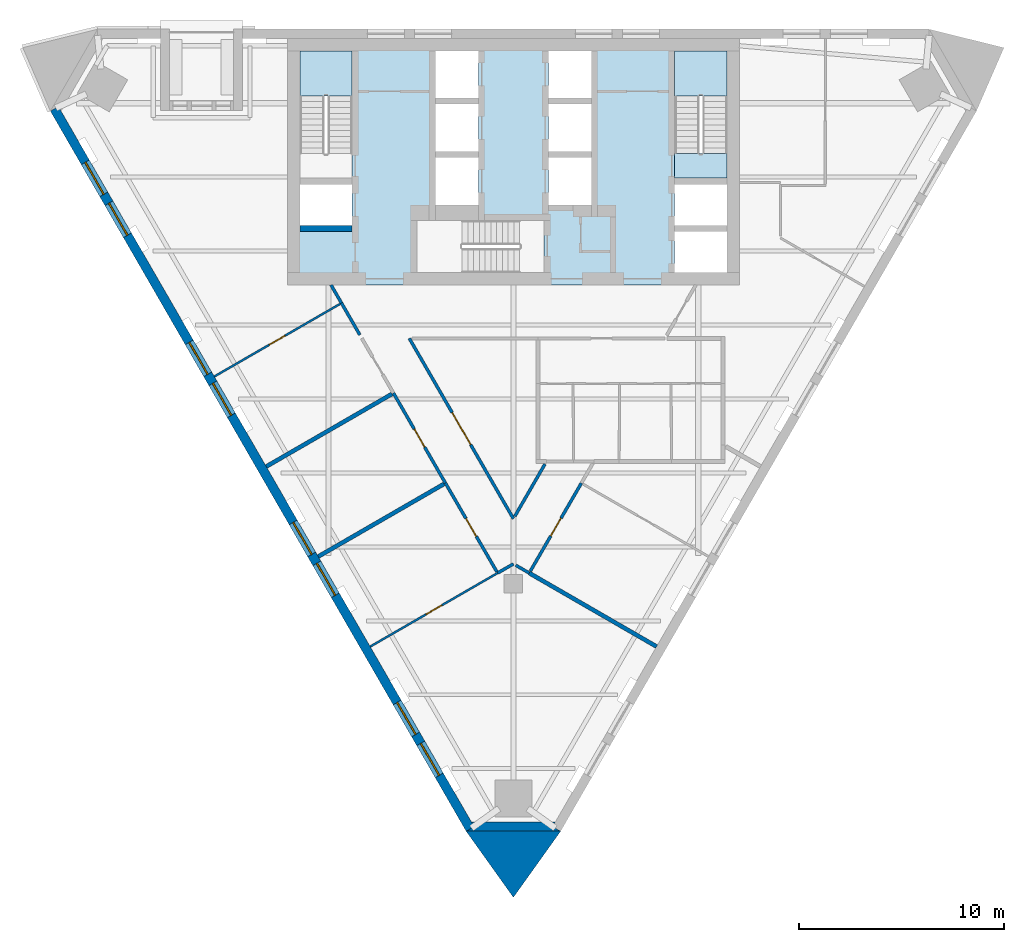
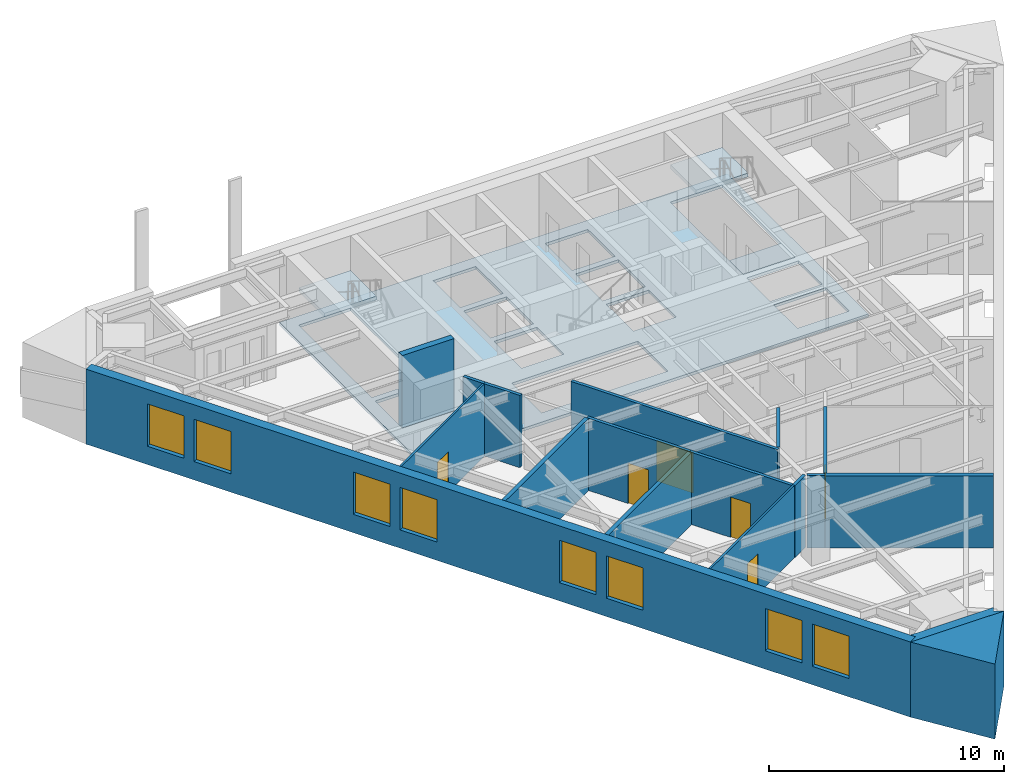
# One storey, part 2 of 8: 18 walls, 8 windows, 6 doors, 4 slabs, 14 openings, 2 elements without a shape of their own.
"""IFC4 building model written with IfcOpenShell, lengths in metres."""

from ifc_helpers import new_model, si_unit, direction, frame, frame_2d, origin, place, context, subcontext, project, spatial, polyline, rectangle, outline, extrude, material, layer, layer_set, type_object, element, fill, aggregate, save


model = new_model("IFC4")

# Units and contexts
model_context = context("Model", 3, precision=1e-05, world=origin(), true_north=direction((0.0, 1.0)))
body_context = subcontext(model_context, "Body", "Model", "MODEL_VIEW")
ifc_project = project(units=[si_unit("LENGTHUNIT", "METRE"), si_unit("AREAUNIT", "SQUARE_METRE"), si_unit("VOLUMEUNIT", "CUBIC_METRE"), si_unit("PLANEANGLEUNIT", "RADIAN"), si_unit("MASSUNIT", "GRAM", prefix="KILO")], contexts=[model_context])

# Site, building, storey
site_placement = place(None, origin())
site = spatial("IfcSite", under=ifc_project, at=site_placement, CompositionType="ELEMENT")
building_placement = place(site_placement, origin())
building = spatial("IfcBuilding", under=site, at=building_placement, Name="Aloe Facet Convention Tower", CompositionType="ELEMENT")
storey_placement = place(building_placement, frame((0.0, 0.0, 140.300048828125)))
storey = spatial("IfcBuildingStorey", under=building, at=storey_placement, Name="L35", CompositionType="ELEMENT", Elevation=140.300048828125)

# Slabs
ifc_material_1 = material(Name="Concrete C60/75", Category="concrete")
ifc_layer_1 = layer(ifc_material_1, 0.14990234375)
ifc_layer_set_1 = layer_set([ifc_layer_1], Name="CR-S-FLOOR150-C6075")
slab_type_1 = type_object("IfcSlabType", Name="CR-S-FLOOR150-C6075", PredefinedType="FLOOR", material=ifc_layer_set_1)
slab_1_placement = place(storey_placement, frame((0.0, 0.0, -0.150146484375)))
element("IfcSlab", 1, at=slab_1_placement, inside=storey, type_object=slab_type_1, Name="Core floor L35", PredefinedType="FLOOR", context=body_context, shape_type="SweptSolid", body=[
    extrude(outline(polyline([(71.85009765625, 134.550048828125), (72.75, 134.550048828125), (75.60009765625, 134.550048828125), (76.5, 134.550048828125), (78.0, 134.550048828125), (78.89990234375, 134.550048828125), (81.10009765625, 134.550048828125), (82.0, 134.550048828125), (83.5, 134.550048828125), (84.39990234375, 134.550048828125), (87.25, 134.550048828125), (88.14990234375, 134.550048828125), (91.0, 134.550048828125), (91.0, 128.050048828125), (91.0, 127.14990234375), (91.0, 125.75), (91.0, 124.85009765625), (91.0, 122.550048828125), (88.14990234375, 122.550048828125), (87.25, 122.550048828125), (85.300048828125, 122.550048828125), (84.39990234375, 122.550048828125), (82.10009765625, 122.550048828125), (81.199951171875, 122.550048828125), (75.60009765625, 122.550048828125), (74.699951171875, 122.550048828125), (72.75, 122.550048828125), (71.85009765625, 122.550048828125), (69.0, 122.550048828125), (69.0, 124.85009765625), (69.0, 125.75), (69.0, 127.14990234375), (69.0, 128.050048828125), (69.0, 134.550048828125), (71.85009765625, 134.550048828125)]), holes=[polyline([(80.298828125, 123.14990234375), (81.5, 123.14990234375), (81.5, 125.699951171875), (80.298828125, 125.699951171875), (75.300048828125, 125.699951171875), (75.300048828125, 123.14990234375), (80.298828125, 123.14990234375)]), polyline([(69.60009765625, 125.449951171875), (72.14990234375, 125.449951171875), (72.14990234375, 127.449951171875), (69.60009765625, 127.449951171875), (69.60009765625, 125.449951171875)]), polyline([(76.199951171875, 126.449951171875), (78.300048828125, 126.449951171875), (78.300048828125, 128.75), (76.199951171875, 128.75), (76.199951171875, 126.449951171875)]), polyline([(78.300048828125, 129.050048828125), (78.300048828125, 131.35009765625), (76.199951171875, 131.35009765625), (76.199951171875, 129.050048828125), (78.300048828125, 129.050048828125)]), polyline([(69.60009765625, 133.949951171875), (69.60009765625, 128.951171875), (69.60009765625, 127.75), (72.14990234375, 127.75), (72.14990234375, 128.951171875), (72.14990234375, 133.949951171875), (69.60009765625, 133.949951171875)]), polyline([(76.199951171875, 131.64990234375), (78.300048828125, 131.64990234375), (78.300048828125, 133.949951171875), (76.199951171875, 133.949951171875), (76.199951171875, 131.64990234375)]), polyline([(90.39990234375, 123.14990234375), (90.39990234375, 125.14990234375), (87.85009765625, 125.14990234375), (87.85009765625, 123.14990234375), (90.39990234375, 123.14990234375)]), polyline([(87.85009765625, 125.449951171875), (90.39990234375, 125.449951171875), (90.39990234375, 127.449951171875), (87.85009765625, 127.449951171875), (87.85009765625, 125.449951171875)]), polyline([(81.699951171875, 126.449951171875), (83.800048828125, 126.449951171875), (83.800048828125, 128.75), (81.699951171875, 128.75), (81.699951171875, 126.449951171875)]), polyline([(83.800048828125, 129.050048828125), (83.800048828125, 131.35009765625), (81.699951171875, 131.35009765625), (81.699951171875, 129.050048828125), (83.800048828125, 129.050048828125)]), polyline([(87.85009765625, 133.949951171875), (87.85009765625, 128.951171875), (87.85009765625, 127.75), (90.39990234375, 127.75), (90.39990234375, 128.951171875), (90.39990234375, 133.949951171875), (87.85009765625, 133.949951171875)]), polyline([(81.699951171875, 131.64990234375), (83.800048828125, 131.64990234375), (83.800048828125, 133.949951171875), (81.699951171875, 133.949951171875), (81.699951171875, 131.64990234375)])]), origin(), (0.0, 0.0, 1.0), 0.150146484375),
])
ifc_material_2 = material(Name="Concrete C60/75", Category="concrete")
ifc_layer_2 = layer(ifc_material_2, 0.300048828125)
ifc_layer_set_2 = layer_set([ifc_layer_2], Name="CR-S-FLOOR300-C6075")
slab_type_2 = type_object("IfcSlabType", Name="CR-S-FLOOR300-C6075", PredefinedType="FLOOR", material=ifc_layer_set_2)
slab_2_placement = place(storey_placement, frame((0.0, 0.0, -0.300048828125)))
element("IfcSlab", 2, at=slab_2_placement, inside=storey, type_object=slab_type_2, Name="Stair landing floor L35", PredefinedType="FLOOR", context=body_context, shape_type="SweptSolid", body=[
    extrude(outline(polyline([(90.39990234375, 127.75), (90.39990234375, 128.951171875), (87.85009765625, 128.951171875), (87.85009765625, 127.75), (90.39990234375, 127.75)])), origin(), (0.0, 0.0, 1.0), 0.300048828125),
])

# Stair, slab
ifc_material_3 = material(Name="Concrete C50/60", Category="concrete")
stair_type = type_object("IfcStairType", Name="CR-ST-22R", PredefinedType="HALF_TURN_STAIR", material=ifc_material_3)
stair_1_placement = place(storey_placement, origin())
stair_1 = element("IfcStair", 3, at=stair_1_placement, inside=storey, type_object=stair_type, Name="L35 Protected exit stair ST1", PredefinedType="HALF_TURN_STAIR")
ifc_material_4 = material(Name="Concrete C50/60", Category="concrete")
ifc_layer_3 = layer(ifc_material_4, 0.199951171875)
ifc_layer_set_3 = layer_set([ifc_layer_3], Name="CR-SL-LANDING")
slab_type_3 = type_object("IfcSlabType", Name="CR-SL-LANDING", PredefinedType="LANDING", material=ifc_layer_set_3)
slab_3_placement = place(storey_placement, frame((0.0, 0.0, 1.75)))
slab_3 = element("IfcSlab", 4, at=slab_3_placement, type_object=slab_type_3, Name="ST1 landing 1", PredefinedType="LANDING", context=body_context, shape_type="SweptSolid", body=[
    extrude(outline(polyline([(72.14990234375, 131.75), (72.14990234375, 133.949951171875), (69.60009765625, 133.949951171875), (69.60009765625, 131.75), (72.14990234375, 131.75)])), origin(), (0.0, 0.0, 1.0), 0.199951171875),
])
aggregate(stair_1, [slab_3])

stair_2_placement = place(storey_placement, origin())
stair_2 = element("IfcStair", 5, at=stair_2_placement, inside=storey, type_object=stair_type, Name="L35 Protected exit stair ST2", PredefinedType="HALF_TURN_STAIR")
slab_4_placement = place(storey_placement, frame((0.0, 0.0, 1.75)))
slab_4 = element("IfcSlab", 6, at=slab_4_placement, type_object=slab_type_3, Name="ST2 landing 1", PredefinedType="LANDING", context=body_context, shape_type="SweptSolid", body=[
    extrude(outline(polyline([(90.39990234375, 131.75), (90.39990234375, 133.949951171875), (87.85009765625, 133.949951171875), (87.85009765625, 131.75), (90.39990234375, 131.75)])), origin(), (0.0, 0.0, 1.0), 0.199951171875),
])
aggregate(stair_2, [slab_4])

# Walls
ifc_material_5 = material(Name="Concrete C60/75", Category="concrete")
ifc_layer_4 = layer(ifc_material_5, 0.300048828125)
ifc_layer_set_4 = layer_set([ifc_layer_4], Name="CR-W-RC300-C6075")
wall_type_1 = type_object("IfcWallType", Name="CR-W-RC300-C6075", PredefinedType="SOLIDWALL", material=ifc_layer_set_4)
wall_1_placement = place(storey_placement, frame((69.60009765625, 125.300048828125, 0.0), z_axis=(0.0, 0.0, 1.0), x_axis=(1.0, 0.0, 0.0)))
element("IfcWall", 7, at=wall_1_placement, inside=storey, type_object=wall_type_1, Name="Core wall L35-005", PredefinedType="SOLIDWALL", context=body_context, shape_type="SweptSolid", body=[
    extrude(rectangle(XDim=2.5498046875, YDim=0.300048828125, at=frame_2d((1.27490234375, 0.0))), origin(), (0.0, 0.0, 1.0), 3.75),
])
ifc_material_6 = material(Name="Precast concrete C40/50", Category="concrete")
ifc_layer_5 = layer(ifc_material_6, 0.449951171875)
ifc_layer_set_5 = layer_set([ifc_layer_5], Name="EV-WALL-PIER")
wall_type_2 = type_object("IfcWallType", Name="EV-WALL-PIER", PredefinedType="SOLIDWALL", material=ifc_layer_set_5)
wall_2_placement = place(storey_placement, frame((0.0, 0.0, -0.150146484375)))
element("IfcWall", 8, at=wall_2_placement, inside=storey, type_object=wall_type_2, Name="EP-L35-B", PredefinedType="SOLIDWALL", context=body_context, shape_type="SweptSolid", body=[
    extrude(outline(polyline([(77.699951171875, 95.954345703125), (78.089599609375, 96.17919921875), (77.959716796875, 96.404296875), (82.040283203125, 96.404296875), (81.910400390625, 96.17919921875), (82.300048828125, 95.954345703125), (77.699951171875, 95.954345703125)])), origin(), (0.0, 0.0, 1.0), 3.900146484375),
])
ifc_material_7 = material(Name="Precast concrete C40/50", Category="concrete")
ifc_layer_6 = layer(ifc_material_7, 3.947998046875)
ifc_layer_set_6 = layer_set([ifc_layer_6], Name="EV-WALL-SPINE")
wall_type_3 = type_object("IfcWallType", Name="EV-WALL-SPINE", PredefinedType="SOLIDWALL", material=ifc_layer_set_6)
wall_3_placement = place(storey_placement, frame((0.0, 0.0, -0.150146484375)))
element("IfcWall", 9, at=wall_3_placement, inside=storey, type_object=wall_type_3, Name="SP-S-L35", PredefinedType="SOLIDWALL", context=body_context, shape_type="SweptSolid", body=[
    extrude(outline(polyline([(77.699951171875, 95.954345703125), (80.0, 92.732666015625), (82.300048828125, 95.954345703125), (77.699951171875, 95.954345703125)])), origin(), (0.0, 0.0, 1.0), 3.900146484375),
])

# Wall, openings, windows
ifc_material_8 = material(Name="Precast concrete C40/50", Category="concrete")
ifc_layer_7 = layer(ifc_material_8, 0.449951171875)
ifc_layer_set_7 = layer_set([ifc_layer_7], Name="EV-WALL-STONE")
wall_type_4 = type_object("IfcWallType", Name="EV-WALL-STONE", PredefinedType="SOLIDWALL", material=ifc_layer_set_7)
wall_4_placement = place(storey_placement, frame((57.65185546875, 131.128662109375, -0.150146484375), z_axis=(0.0, 0.0, 1.0), x_axis=(0.499997369791, -0.866026922331, 0.0)))
wall_4 = element("IfcWall", 10, at=wall_4_placement, inside=storey, type_object=wall_type_4, Name="EW-L35-W01", PredefinedType="SOLIDWALL", context=body_context, shape_type="SweptSolid", body=[
    extrude(outline(polyline([(40.486083984375, 0.0), (40.486083984375, 3.900146484375), (0.0, 3.900146484375), (0.0, 0.0), (40.486083984375, 0.0)])), frame((0.0, 0.22509765625, 0.0), z_axis=(0.0, -1.0, 0.0), x_axis=(1.0, 0.0, 0.0)), (0.0, 0.0, 1.0), 0.449951171875),
])
opening_1_placement = place(wall_4_placement, frame((3.0107421875, 0.0, 0.949951171875)))
opening_1 = element("IfcOpeningElement", 11, at=opening_1_placement, cuts=wall_4, Name="Opening W-L35-W01", PredefinedType="OPENING", context=body_context, shape_type="SweptSolid", body=[
    extrude(rectangle(XDim=1.800048828125, YDim=2.199951171875, at=frame_2d((0.89990234375, 1.10009765625))), frame((0.0, 0.23486328125, 0.0), z_axis=(0.0, -1.0, 0.0), x_axis=(1.0, 0.0, 0.0)), (0.0, 0.0, 1.0), 0.469970703125),
])
opening_2_placement = place(wall_4_placement, frame((5.310791015625, 0.0, 0.949951171875)))
opening_2 = element("IfcOpeningElement", 12, at=opening_2_placement, cuts=wall_4, Name="Opening W-L35-W02", PredefinedType="OPENING", context=body_context, shape_type="SweptSolid", body=[
    extrude(rectangle(XDim=1.800048828125, YDim=2.199951171875, at=frame_2d((0.89990234375, 1.10009765625))), frame((0.0, 0.23486328125, 0.0), z_axis=(0.0, -1.0, 0.0), x_axis=(1.0, 0.0, 0.0)), (0.0, 0.0, 1.0), 0.469970703125),
])
opening_3_placement = place(wall_4_placement, frame((13.13232421875, 0.0, 0.949951171875)))
opening_3 = element("IfcOpeningElement", 13, at=opening_3_placement, cuts=wall_4, Name="Opening W-L35-W03", PredefinedType="OPENING", context=body_context, shape_type="SweptSolid", body=[
    extrude(rectangle(XDim=1.800048828125, YDim=2.199951171875, at=frame_2d((0.89990234375, 1.10009765625))), frame((0.0, 0.23486328125, 0.0), z_axis=(0.0, -1.0, 0.0), x_axis=(1.0, 0.0, 0.0)), (0.0, 0.0, 1.0), 0.469970703125),
])
opening_4_placement = place(wall_4_placement, frame((15.432373046875, 0.0, 0.949951171875)))
opening_4 = element("IfcOpeningElement", 14, at=opening_4_placement, cuts=wall_4, Name="Opening W-L35-W04", PredefinedType="OPENING", context=body_context, shape_type="SweptSolid", body=[
    extrude(rectangle(XDim=1.800048828125, YDim=2.199951171875, at=frame_2d((0.89990234375, 1.10009765625))), frame((0.0, 0.23486328125, 0.0), z_axis=(0.0, -1.0, 0.0), x_axis=(1.0, 0.0, 0.0)), (0.0, 0.0, 1.0), 0.469970703125),
])
opening_5_placement = place(wall_4_placement, frame((23.25390625, 0.0, 0.949951171875)))
opening_5 = element("IfcOpeningElement", 15, at=opening_5_placement, cuts=wall_4, Name="Opening W-L35-W05", PredefinedType="OPENING", context=body_context, shape_type="SweptSolid", body=[
    extrude(rectangle(XDim=1.800048828125, YDim=2.199951171875, at=frame_2d((0.89990234375, 1.10009765625))), frame((0.0, 0.23486328125, 0.0), z_axis=(0.0, -1.0, 0.0), x_axis=(1.0, 0.0, 0.0)), (0.0, 0.0, 1.0), 0.469970703125),
])
opening_6_placement = place(wall_4_placement, frame((25.553955078125, 0.0, 0.949951171875)))
opening_6 = element("IfcOpeningElement", 16, at=opening_6_placement, cuts=wall_4, Name="Opening W-L35-W06", PredefinedType="OPENING", context=body_context, shape_type="SweptSolid", body=[
    extrude(rectangle(XDim=1.800048828125, YDim=2.199951171875, at=frame_2d((0.89990234375, 1.10009765625))), frame((0.0, 0.23486328125, 0.0), z_axis=(0.0, -1.0, 0.0), x_axis=(1.0, 0.0, 0.0)), (0.0, 0.0, 1.0), 0.469970703125),
])
opening_7_placement = place(wall_4_placement, frame((33.37548828125, 0.0, 0.949951171875)))
opening_7 = element("IfcOpeningElement", 17, at=opening_7_placement, cuts=wall_4, Name="Opening W-L35-W07", PredefinedType="OPENING", context=body_context, shape_type="SweptSolid", body=[
    extrude(rectangle(XDim=1.800048828125, YDim=2.199951171875, at=frame_2d((0.89990234375, 1.10009765625))), frame((0.0, 0.23486328125, 0.0), z_axis=(0.0, -1.0, 0.0), x_axis=(1.0, 0.0, 0.0)), (0.0, 0.0, 1.0), 0.469970703125),
])
opening_8_placement = place(wall_4_placement, frame((35.67529296875, 0.0, 0.949951171875)))
opening_8 = element("IfcOpeningElement", 18, at=opening_8_placement, cuts=wall_4, Name="Opening W-L35-W08", PredefinedType="OPENING", context=body_context, shape_type="SweptSolid", body=[
    extrude(rectangle(XDim=1.800048828125, YDim=2.199951171875, at=frame_2d((0.89990234375, 1.10009765625))), frame((0.0, 0.23486328125, 0.0), z_axis=(0.0, -1.0, 0.0), x_axis=(1.0, 0.0, 0.0)), (0.0, 0.0, 1.0), 0.469970703125),
])
ifc_material_9 = material(Name="Aluminium frame, clear double glazing", Category="aluminium")
window_type = type_object("IfcWindowType", Name="EV-WIN-O18", PartitioningType="SINGLE_PANEL", PredefinedType="WINDOW", material=ifc_material_9)
window_1_placement = place(opening_1_placement, origin())
window_1 = element("IfcWindow", 19, at=window_1_placement, inside=storey, type_object=window_type, Name="W-L35-W01", OverallHeight=2.199951171875, OverallWidth=1.800048828125, PartitioningType="SINGLE_PANEL", PredefinedType="WINDOW", context=body_context, shape_type="SweptSolid", body=[
    extrude(rectangle(XDim=1.800048828125, YDim=2.199951171875, at=frame_2d((0.89990234375, 1.10009765625))), frame((0.0, 0.030029296875, 0.0), z_axis=(0.0, -1.0, 0.0), x_axis=(1.0, 0.0, 0.0)), (0.0, 0.0, 1.0), 0.06005859375),
])
fill(opening_1, window_1)
window_2_placement = place(opening_2_placement, origin())
window_2 = element("IfcWindow", 20, at=window_2_placement, inside=storey, type_object=window_type, Name="W-L35-W02", OverallHeight=2.199951171875, OverallWidth=1.800048828125, PartitioningType="SINGLE_PANEL", PredefinedType="WINDOW", context=body_context, shape_type="SweptSolid", body=[
    extrude(rectangle(XDim=1.800048828125, YDim=2.199951171875, at=frame_2d((0.89990234375, 1.10009765625))), frame((0.0, 0.030029296875, 0.0), z_axis=(0.0, -1.0, 0.0), x_axis=(1.0, 0.0, 0.0)), (0.0, 0.0, 1.0), 0.06005859375),
])
fill(opening_2, window_2)
window_3_placement = place(opening_3_placement, origin())
window_3 = element("IfcWindow", 21, at=window_3_placement, inside=storey, type_object=window_type, Name="W-L35-W03", OverallHeight=2.199951171875, OverallWidth=1.800048828125, PartitioningType="SINGLE_PANEL", PredefinedType="WINDOW", context=body_context, shape_type="SweptSolid", body=[
    extrude(rectangle(XDim=1.800048828125, YDim=2.199951171875, at=frame_2d((0.89990234375, 1.10009765625))), frame((0.0, 0.030029296875, 0.0), z_axis=(0.0, -1.0, 0.0), x_axis=(1.0, 0.0, 0.0)), (0.0, 0.0, 1.0), 0.06005859375),
])
fill(opening_3, window_3)
window_4_placement = place(opening_4_placement, origin())
window_4 = element("IfcWindow", 22, at=window_4_placement, inside=storey, type_object=window_type, Name="W-L35-W04", OverallHeight=2.199951171875, OverallWidth=1.800048828125, PartitioningType="SINGLE_PANEL", PredefinedType="WINDOW", context=body_context, shape_type="SweptSolid", body=[
    extrude(rectangle(XDim=1.800048828125, YDim=2.199951171875, at=frame_2d((0.89990234375, 1.10009765625))), frame((0.0, 0.030029296875, 0.0), z_axis=(0.0, -1.0, 0.0), x_axis=(1.0, 0.0, 0.0)), (0.0, 0.0, 1.0), 0.06005859375),
])
fill(opening_4, window_4)
window_5_placement = place(opening_5_placement, origin())
window_5 = element("IfcWindow", 23, at=window_5_placement, inside=storey, type_object=window_type, Name="W-L35-W05", OverallHeight=2.199951171875, OverallWidth=1.800048828125, PartitioningType="SINGLE_PANEL", PredefinedType="WINDOW", context=body_context, shape_type="SweptSolid", body=[
    extrude(rectangle(XDim=1.800048828125, YDim=2.199951171875, at=frame_2d((0.89990234375, 1.10009765625))), frame((0.0, 0.030029296875, 0.0), z_axis=(0.0, -1.0, 0.0), x_axis=(1.0, 0.0, 0.0)), (0.0, 0.0, 1.0), 0.06005859375),
])
fill(opening_5, window_5)
window_6_placement = place(opening_6_placement, origin())
window_6 = element("IfcWindow", 24, at=window_6_placement, inside=storey, type_object=window_type, Name="W-L35-W06", OverallHeight=2.199951171875, OverallWidth=1.800048828125, PartitioningType="SINGLE_PANEL", PredefinedType="WINDOW", context=body_context, shape_type="SweptSolid", body=[
    extrude(rectangle(XDim=1.800048828125, YDim=2.199951171875, at=frame_2d((0.89990234375, 1.10009765625))), frame((0.0, 0.030029296875, 0.0), z_axis=(0.0, -1.0, 0.0), x_axis=(1.0, 0.0, 0.0)), (0.0, 0.0, 1.0), 0.06005859375),
])
fill(opening_6, window_6)
window_7_placement = place(opening_7_placement, origin())
window_7 = element("IfcWindow", 25, at=window_7_placement, inside=storey, type_object=window_type, Name="W-L35-W07", OverallHeight=2.199951171875, OverallWidth=1.800048828125, PartitioningType="SINGLE_PANEL", PredefinedType="WINDOW", context=body_context, shape_type="SweptSolid", body=[
    extrude(rectangle(XDim=1.800048828125, YDim=2.199951171875, at=frame_2d((0.89990234375, 1.10009765625))), frame((0.0, 0.030029296875, 0.0), z_axis=(0.0, -1.0, 0.0), x_axis=(1.0, 0.0, 0.0)), (0.0, 0.0, 1.0), 0.06005859375),
])
fill(opening_7, window_7)
window_8_placement = place(opening_8_placement, origin())
window_8 = element("IfcWindow", 26, at=window_8_placement, inside=storey, type_object=window_type, Name="W-L35-W08", OverallHeight=2.199951171875, OverallWidth=1.800048828125, PartitioningType="SINGLE_PANEL", PredefinedType="WINDOW", context=body_context, shape_type="SweptSolid", body=[
    extrude(rectangle(XDim=1.800048828125, YDim=2.199951171875, at=frame_2d((0.89990234375, 1.10009765625))), frame((0.0, 0.030029296875, 0.0), z_axis=(0.0, -1.0, 0.0), x_axis=(1.0, 0.0, 0.0)), (0.0, 0.0, 1.0), 0.06005859375),
])
fill(opening_8, window_8)

# Wall
ifc_material_10 = material(Name="Gypsum board partition on steel studs", Category="steel")
ifc_layer_8 = layer(ifc_material_10, 0.14990234375)
ifc_layer_set_8 = layer_set([ifc_layer_8], Name="IN-W-CORR")
wall_type_5 = type_object("IfcWallType", Name="IN-W-CORR", PredefinedType="PARTITIONING", material=ifc_layer_set_8)
wall_5_placement = place(storey_placement, frame((79.229736328125, 108.524658203125, 0.0), z_axis=(0.0, 0.0, 1.0), x_axis=(0.865970738743, 0.500094670678, 0.0)))
element("IfcWall", 27, at=wall_5_placement, inside=storey, type_object=wall_type_5, Name="Partition L35-W002", PredefinedType="PARTITIONING", context=body_context, shape_type="SweptSolid", body=[
    extrude(rectangle(XDim=0.889404296875, YDim=0.14990234375, at=frame_2d((0.44482421875, 0.0))), origin(), (0.0, 0.0, 1.0), 3.75),
])

# Wall, opening, door
wall_6_placement = place(storey_placement, frame((76.690673828125, 112.902587890625, 0.0), z_axis=(0.0, 0.0, 1.0), x_axis=(0.501707830428, -0.8650371396, 0.0)))
wall_6 = element("IfcWall", 28, at=wall_6_placement, inside=storey, type_object=wall_type_5, Name="Partition L35-W003", PredefinedType="PARTITIONING", context=body_context, shape_type="SweptSolid", body=[
    extrude(rectangle(XDim=4.98583984375, YDim=0.14990234375, at=frame_2d((2.492919921875, 0.0))), origin(), (0.0, 0.0, 1.0), 3.75),
])
opening_9_placement = place(wall_6_placement, frame((1.992919921875, 0.0, 0.0)))
opening_9 = element("IfcOpeningElement", 29, at=opening_9_placement, cuts=wall_6, Name="Opening L35-010", PredefinedType="OPENING", context=body_context, shape_type="SweptSolid", body=[
    extrude(rectangle(XDim=1.0, YDim=2.10009765625, at=frame_2d((0.5, 1.050048828125))), frame((0.0, 0.0849609375, 0.0), z_axis=(0.0, -1.0, 0.0), x_axis=(1.0, 0.0, 0.0)), (0.0, 0.0, 1.0), 0.169921875),
])
ifc_material_11 = material(Name="Timber door FD30S with vision panel", Category="wood")
door_type_1 = type_object("IfcDoorType", Name="IN-OFF-D-ENTRY", OperationType="SINGLE_SWING_LEFT", PredefinedType="DOOR", material=ifc_material_11)
door_1_placement = place(opening_9_placement, origin())
door_1 = element("IfcDoor", 30, at=door_1_placement, inside=storey, type_object=door_type_1, Name="Door L35-010", OperationType="SINGLE_SWING_LEFT", OverallHeight=2.10009765625, OverallWidth=1.0, PredefinedType="DOOR", context=body_context, shape_type="SweptSolid", body=[
    extrude(rectangle(XDim=1.0, YDim=2.10009765625, at=frame_2d((0.5, 1.050048828125))), frame((0.0, 0.02490234375, 0.0), z_axis=(0.0, -1.0, 0.0), x_axis=(1.0, 0.0, 0.0)), (0.0, 0.0, 1.0), 0.050048828125),
])
fill(opening_9, door_1)

# Wall
wall_7_placement = place(storey_placement, frame((80.112548828125, 108.904541015625, 0.0), z_axis=(0.0, 0.0, 1.0), x_axis=(0.865939322839, -0.50014906694, 0.0)))
element("IfcWall", 31, at=wall_7_placement, inside=storey, type_object=wall_type_5, Name="Partition L35-W005", PredefinedType="PARTITIONING", context=body_context, shape_type="SweptSolid", body=[
    extrude(rectangle(XDim=0.759521484375, YDim=0.14990234375, at=frame_2d((0.3798828125, 0.0))), origin(), (0.0, 0.0, 1.0), 3.75),
])

# Wall, opening, door
wall_8_placement = place(storey_placement, frame((74.93115234375, 119.949951171875, 0.0), z_axis=(0.0, 0.0, 1.0), x_axis=(0.499998319705, -0.866026373901, 0.0)))
wall_8 = element("IfcWall", 32, at=wall_8_placement, inside=storey, type_object=wall_type_5, Name="Partition L35-W008", PredefinedType="PARTITIONING", context=body_context, shape_type="SweptSolid", body=[
    extrude(rectangle(XDim=10.1376953125, YDim=0.14990234375, at=frame_2d((5.06884765625, 0.0))), origin(), (0.0, 0.0, 1.0), 3.75),
])
opening_10_placement = place(wall_8_placement, frame((4.1689453125, 0.0, 0.0)))
opening_10 = element("IfcOpeningElement", 33, at=opening_10_placement, cuts=wall_8, Name="Opening L35-015", PredefinedType="OPENING", context=body_context, shape_type="SweptSolid", body=[
    extrude(rectangle(XDim=1.800048828125, YDim=2.10009765625, at=frame_2d((0.89990234375, 1.050048828125))), frame((0.0, 0.0849609375, 0.0), z_axis=(0.0, -1.0, 0.0), x_axis=(1.0, 0.0, 0.0)), (0.0, 0.0, 1.0), 0.169921875),
])
ifc_material_12 = material(Name="Glazed timber door pair FD30S", Category="wood")
door_type_2 = type_object("IfcDoorType", Name="IN-OFF-D-SUITE", OperationType="DOUBLE_DOOR_SINGLE_SWING", PredefinedType="DOOR", material=ifc_material_12)
door_2_placement = place(opening_10_placement, origin())
door_2 = element("IfcDoor", 34, at=door_2_placement, inside=storey, type_object=door_type_2, Name="Door L35-015", OperationType="SINGLE_SWING_LEFT", OverallHeight=2.10009765625, OverallWidth=1.800048828125, PredefinedType="DOOR", context=body_context, shape_type="SweptSolid", body=[
    extrude(rectangle(XDim=1.800048828125, YDim=2.10009765625, at=frame_2d((0.89990234375, 1.050048828125))), frame((0.0, 0.02490234375, 0.0), z_axis=(0.0, -1.0, 0.0), x_axis=(1.0, 0.0, 0.0)), (0.0, 0.0, 1.0), 0.050048828125),
])
fill(opening_10, door_2)

wall_9_placement = place(storey_placement, frame((74.16015625, 117.28515625, 0.0), z_axis=(0.0, 0.0, 1.0), x_axis=(0.500035650373, -0.866004820053, 0.0)))
wall_9 = element("IfcWall", 35, at=wall_9_placement, inside=storey, type_object=wall_type_5, Name="Partition L35-W009", PredefinedType="PARTITIONING", context=body_context, shape_type="SweptSolid", body=[
    extrude(rectangle(XDim=5.060791015625, YDim=0.14990234375, at=frame_2d((2.5302734375, 0.0))), origin(), (0.0, 0.0, 1.0), 3.75),
])
opening_11_placement = place(wall_9_placement, frame((2.0302734375, 0.0, 0.0)))
opening_11 = element("IfcOpeningElement", 36, at=opening_11_placement, cuts=wall_9, Name="Opening L35-009", PredefinedType="OPENING", context=body_context, shape_type="SweptSolid", body=[
    extrude(rectangle(XDim=1.0, YDim=2.10009765625, at=frame_2d((0.5, 1.050048828125))), frame((0.0, 0.0849609375, 0.0), z_axis=(0.0, -1.0, 0.0), x_axis=(1.0, 0.0, 0.0)), (0.0, 0.0, 1.0), 0.169921875),
])
door_3_placement = place(opening_11_placement, origin())
door_3 = element("IfcDoor", 37, at=door_3_placement, inside=storey, type_object=door_type_1, Name="Door L35-009", OperationType="SINGLE_SWING_LEFT", OverallHeight=2.10009765625, OverallWidth=1.0, PredefinedType="DOOR", context=body_context, shape_type="SweptSolid", body=[
    extrude(rectangle(XDim=1.0, YDim=2.10009765625, at=frame_2d((0.5, 1.050048828125))), frame((0.0, 0.02490234375, 0.0), z_axis=(0.0, -1.0, 0.0), x_axis=(1.0, 0.0, 0.0)), (0.0, 0.0, 1.0), 0.050048828125),
])
fill(opening_11, door_3)

wall_10_placement = place(storey_placement, frame((80.825439453125, 108.619873046875, 0.0), z_axis=(0.0, 0.0, 1.0), x_axis=(0.501704805906, 0.865038893768, 0.0)))
wall_10 = element("IfcWall", 38, at=wall_10_placement, inside=storey, type_object=wall_type_5, Name="Partition L35-W010", PredefinedType="PARTITIONING", context=body_context, shape_type="SweptSolid", body=[
    extrude(rectangle(XDim=4.950927734375, YDim=0.14990234375, at=frame_2d((2.4755859375, 0.0))), origin(), (0.0, 0.0, 1.0), 3.75),
])
opening_12_placement = place(wall_10_placement, frame((1.975341796875, 0.0, 0.0)))
opening_12 = element("IfcOpeningElement", 39, at=opening_12_placement, cuts=wall_10, Name="Opening L35-011", PredefinedType="OPENING", context=body_context, shape_type="SweptSolid", body=[
    extrude(rectangle(XDim=1.0, YDim=2.10009765625, at=frame_2d((0.5, 1.050048828125))), frame((0.0, 0.0849609375, 0.0), z_axis=(0.0, -1.0, 0.0), x_axis=(1.0, 0.0, 0.0)), (0.0, 0.0, 1.0), 0.169921875),
])
door_4_placement = place(opening_12_placement, origin())
door_4 = element("IfcDoor", 40, at=door_4_placement, inside=storey, type_object=door_type_1, Name="Door L35-011", OperationType="SINGLE_SWING_LEFT", OverallHeight=2.10009765625, OverallWidth=1.0, PredefinedType="DOOR", context=body_context, shape_type="SweptSolid", body=[
    extrude(rectangle(XDim=1.0, YDim=2.10009765625, at=frame_2d((0.5, 1.050048828125))), frame((0.0, 0.02490234375, 0.0), z_axis=(0.0, -1.0, 0.0), x_axis=(1.0, 0.0, 0.0)), (0.0, 0.0, 1.0), 0.050048828125),
])
fill(opening_12, door_4)

# Walls
wall_11_placement = place(storey_placement, frame((80.06494140625, 111.282958984375, 0.0), z_axis=(0.0, 0.0, 1.0), x_axis=(0.499962090823, 0.866047289552, 0.0)))
element("IfcWall", 41, at=wall_11_placement, inside=storey, type_object=wall_type_5, Name="Partition L35-W014", PredefinedType="PARTITIONING", context=body_context, shape_type="SweptSolid", body=[
    extrude(rectangle(XDim=2.939697265625, YDim=0.14990234375, at=frame_2d((1.4697265625, 0.0))), origin(), (0.0, 0.0, 1.0), 3.75),
])
wall_12_placement = place(storey_placement, frame((71.6298828125, 121.66796875, 0.0), z_axis=(0.0, 0.0, 1.0), x_axis=(0.499982180423, -0.866035691677, 0.0)))
element("IfcWall", 42, at=wall_12_placement, inside=storey, type_object=wall_type_5, Name="Partition L35-W038", PredefinedType="PARTITIONING", context=body_context, shape_type="SweptSolid", body=[
    extrude(rectangle(XDim=1.7900390625, YDim=0.14990234375, at=frame_2d((0.89501953125, 0.0))), origin(), (0.0, 0.0, 1.0), 3.75),
])
wall_13_placement = place(storey_placement, frame((71.12060546875, 122.550048828125, 0.0), z_axis=(0.0, 0.0, 1.0), x_axis=(0.500006018292, -0.866021929094, 0.0)))
element("IfcWall", 43, at=wall_13_placement, inside=storey, type_object=wall_type_5, Name="Partition L35-W039", PredefinedType="PARTITIONING", context=body_context, shape_type="SweptSolid", body=[
    extrude(rectangle(XDim=1.0185546875, YDim=0.14990234375, at=frame_2d((0.50927734375, 0.0))), origin(), (0.0, 0.0, 1.0), 3.75),
])

# Wall, opening, door
ifc_material_13 = material(Name="Gypsum board partition on steel studs", Category="steel")
ifc_layer_9 = layer(ifc_material_13, 0.10009765625)
ifc_layer_set_9 = layer_set([ifc_layer_9], Name="IN-W-PART")
wall_type_6 = type_object("IfcWallType", Name="IN-W-PART", PredefinedType="PARTITIONING", material=ifc_layer_set_9)
wall_14_placement = place(storey_placement, frame((73.029052734375, 104.94482421875, 0.0), z_axis=(0.0, 0.0, 1.0), x_axis=(0.866033408367, 0.4999861354, 0.0)))
wall_14 = element("IfcWall", 44, at=wall_14_placement, inside=storey, type_object=wall_type_6, Name="Partition L35-W001", PredefinedType="PARTITIONING", context=body_context, shape_type="SweptSolid", body=[
    extrude(rectangle(XDim=7.159912109375, YDim=0.10009765625, at=frame_2d((3.580078125, 0.0))), origin(), (0.0, 0.0, 1.0), 3.75),
])
opening_13_placement = place(wall_14_placement, frame((3.1298828125, 0.0, 0.0)))
opening_13 = element("IfcOpeningElement", 45, at=opening_13_placement, cuts=wall_14, Name="Opening L35-016", PredefinedType="OPENING", context=body_context, shape_type="SweptSolid", body=[
    extrude(rectangle(XDim=0.89990234375, YDim=2.10009765625, at=frame_2d((0.449951171875, 1.050048828125))), frame((0.0, 0.06005859375, 0.0), z_axis=(0.0, -1.0, 0.0), x_axis=(1.0, 0.0, 0.0)), (0.0, 0.0, 1.0), 0.1201171875),
])
ifc_material_14 = material(Name="Timber door", Category="wood")
door_type_3 = type_object("IfcDoorType", Name="IN-OFF-D-ROOM", OperationType="SINGLE_SWING_LEFT", PredefinedType="DOOR", material=ifc_material_14)
door_5_placement = place(opening_13_placement, origin())
door_5 = element("IfcDoor", 46, at=door_5_placement, inside=storey, type_object=door_type_3, Name="Door L35-016", OperationType="SINGLE_SWING_LEFT", OverallHeight=2.10009765625, OverallWidth=0.89990234375, PredefinedType="DOOR", context=body_context, shape_type="SweptSolid", body=[
    extrude(rectangle(XDim=0.89990234375, YDim=2.10009765625, at=frame_2d((0.449951171875, 1.050048828125))), frame((0.0, 0.02490234375, 0.0), z_axis=(0.0, -1.0, 0.0), x_axis=(1.0, 0.0, 0.0)), (0.0, 0.0, 1.0), 0.050048828125),
])
fill(opening_13, door_5)

wall_15_placement = place(storey_placement, frame((65.437744140625, 118.093017578125, 0.0), z_axis=(0.0, 0.0, 1.0), x_axis=(0.866025031136, 0.500000645445, 0.0)))
wall_15 = element("IfcWall", 47, at=wall_15_placement, inside=storey, type_object=wall_type_6, Name="Partition L35-W033", PredefinedType="PARTITIONING", context=body_context, shape_type="SweptSolid", body=[
    extrude(rectangle(XDim=7.06494140625, YDim=0.10009765625, at=frame_2d((3.532470703125, 0.0))), origin(), (0.0, 0.0, 1.0), 3.75),
])
opening_14_placement = place(wall_15_placement, frame((3.08251953125, 0.0, 0.0)))
opening_14 = element("IfcOpeningElement", 48, at=opening_14_placement, cuts=wall_15, Name="Opening L35-007", PredefinedType="OPENING", context=body_context, shape_type="SweptSolid", body=[
    extrude(rectangle(XDim=0.89990234375, YDim=2.10009765625, at=frame_2d((0.449951171875, 1.050048828125))), frame((0.0, 0.06005859375, 0.0), z_axis=(0.0, -1.0, 0.0), x_axis=(1.0, 0.0, 0.0)), (0.0, 0.0, 1.0), 0.1201171875),
])
door_6_placement = place(opening_14_placement, origin())
door_6 = element("IfcDoor", 49, at=door_6_placement, inside=storey, type_object=door_type_3, Name="Door L35-007", OperationType="SINGLE_SWING_LEFT", OverallHeight=2.10009765625, OverallWidth=0.89990234375, PredefinedType="DOOR", context=body_context, shape_type="SweptSolid", body=[
    extrude(rectangle(XDim=0.89990234375, YDim=2.10009765625, at=frame_2d((0.449951171875, 1.050048828125))), frame((0.0, 0.02490234375, 0.0), z_axis=(0.0, -1.0, 0.0), x_axis=(1.0, 0.0, 0.0)), (0.0, 0.0, 1.0), 0.050048828125),
])
fill(opening_14, door_6)

# Walls
ifc_material_15 = material(Name="Gypsum board partition on steel studs", Category="steel")
ifc_layer_10 = layer(ifc_material_15, 0.199951171875)
ifc_layer_set_10 = layer_set([ifc_layer_10], Name="IN-W-PARTY")
wall_type_7 = type_object("IfcWallType", Name="IN-W-PARTY", PredefinedType="PARTITIONING", material=ifc_layer_set_10)
wall_16_placement = place(storey_placement, frame((80.770263671875, 108.524658203125, 0.0), z_axis=(0.0, 0.0, 1.0), x_axis=(0.866033408367, -0.4999861354, 0.0)))
element("IfcWall", 50, at=wall_16_placement, inside=storey, type_object=wall_type_7, Name="Partition L35-W004", PredefinedType="PARTITIONING", context=body_context, shape_type="SweptSolid", body=[
    extrude(rectangle(XDim=7.159912109375, YDim=0.199951171875, at=frame_2d((3.580078125, 0.0))), origin(), (0.0, 0.0, 1.0), 3.75),
])
for number, where, z_axis, x_axis, name in (
    (51, (70.49853515625, 109.327392578125, 0.0), (0.0, 0.0, 1.0), (0.866010067511, 0.500026562264, 0.0), "Partition L35-W006"),
    (52, (67.96826171875, 113.710205078125, 0.0), (0.0, 0.0, 1.0), (0.866025031136, 0.500000645445, 0.0), "Partition L35-W011"),
):
    element("IfcWall", number, at=place(storey_placement, frame(where, z_axis=z_axis, x_axis=x_axis)), inside=storey, type_object=wall_type_7, Name=name, PredefinedType="PARTITIONING", context=body_context, shape_type="SweptSolid", body=[
        extrude(rectangle(XDim=7.06494140625, YDim=0.199951171875, at=frame_2d((3.532470703125, 0.0))), origin(), (0.0, 0.0, 1.0), 3.75),
    ])

save(model, "model.ifc")
